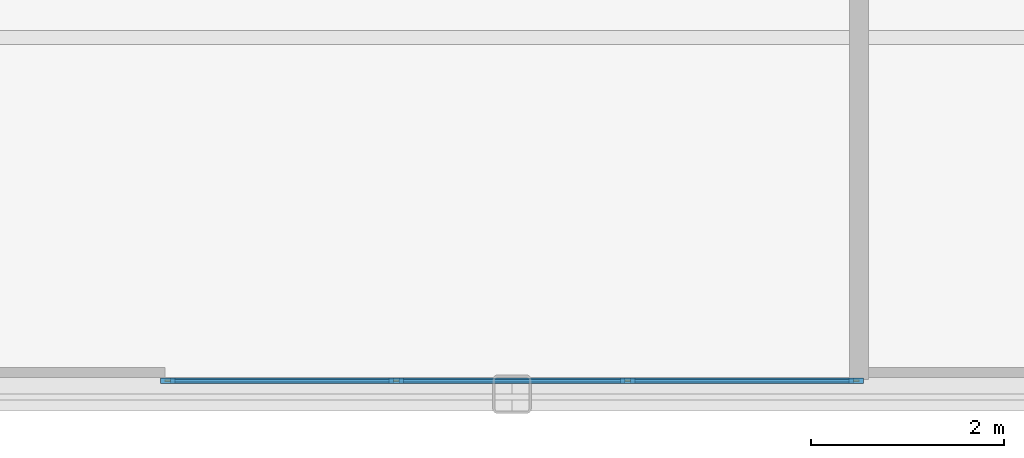
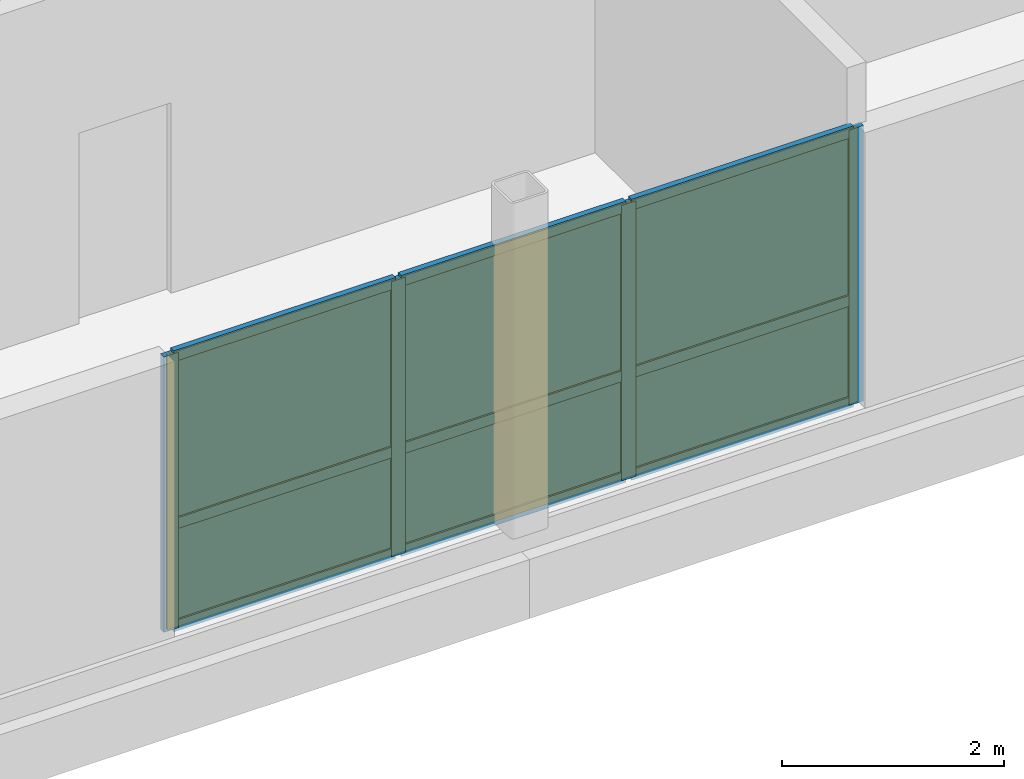
# One storey, part 5 of 10: 13 members, 6 plates, 1 curtain wall.
"""IFC4 building model written with IfcOpenShell, lengths in metres."""

from ifc_helpers import new_model, si_unit, direction, frame, frame_2d, origin, origin_2d, place, context, subcontext, project, spatial, rectangle, extrude, source, transform, mapped, material, layer, layer_set, material_profile, profile_set, type_object, type_shapes, element, aggregate, save


model = new_model("IFC4")

# Units and contexts
model_context = context("Model", 3, precision=1e-05, world=origin(), true_north=direction((0.0, 1.0)))
body_context = subcontext(model_context, "Body", "Model", "MODEL_VIEW")
ifc_project = project(units=[si_unit("LENGTHUNIT", "METRE"), si_unit("AREAUNIT", "SQUARE_METRE"), si_unit("VOLUMEUNIT", "CUBIC_METRE"), si_unit("PLANEANGLEUNIT", "RADIAN"), si_unit("MASSUNIT", "GRAM", prefix="KILO")], contexts=[model_context])

# Member
ifc_material_1 = material(Name="Anodised aluminium 6063-T6", Category="aluminium")
ifc_material_profile_1 = material_profile(ifc_material_1, rectangle(XDim=0.06005859375, YDim=0.14990234375, at=origin_2d()), Name="ALU-MULL-60x150")
ifc_profile_set_1 = profile_set([ifc_material_profile_1], Name="Anodised aluminium 6063-T6")
member_type_1 = type_object("IfcMemberType", Name="CWM-6", PredefinedType="MULLION", material=ifc_profile_set_1)
site_placement = place(None, origin())
building_placement = place(site_placement, origin())
storey_placement = place(building_placement, frame((0.0, 0.0, 299.14990234375)))
member_1_placement = place(storey_placement, frame((-3.570068359375, -16.860107421875, 0.0), z_axis=(0.0, 0.0, 1.0), x_axis=(0.0, 1.0, 0.0)))
member_1 = element("IfcMember", 1, at=member_1_placement, type_object=member_type_1, Name="CWS-6 mullion 1", PredefinedType="MULLION", context=body_context, shape_type="SweptSolid", body=[
    extrude(rectangle(XDim=0.06005859375, YDim=0.14990234375, at=origin_2d()), origin(), (0.0, 0.0, 1.0), 3.03515625),
])

member_2_placement = place(storey_placement, frame((-1.199951171875, -16.860107421875, 0.0), z_axis=(0.0, 0.0, 1.0), x_axis=(0.0, 1.0, 0.0)))
member_2 = element("IfcMember", 2, at=member_2_placement, type_object=member_type_1, Name="CWS-6 mullion 2", PredefinedType="MULLION", context=body_context, shape_type="SweptSolid", body=[
    extrude(rectangle(XDim=0.06005859375, YDim=0.14990234375, at=origin_2d()), origin(), (0.0, 0.0, 1.0), 3.03515625),
])

member_3_placement = place(storey_placement, frame((1.199951171875, -16.860107421875, 0.0), z_axis=(0.0, 0.0, 1.0), x_axis=(0.0, 1.0, 0.0)))
member_3 = element("IfcMember", 3, at=member_3_placement, type_object=member_type_1, Name="CWS-6 mullion 3", PredefinedType="MULLION", context=body_context, shape_type="SweptSolid", body=[
    extrude(rectangle(XDim=0.06005859375, YDim=0.14990234375, at=origin_2d()), origin(), (0.0, 0.0, 1.0), 3.03515625),
])

member_4_placement = place(storey_placement, frame((3.570068359375, -16.860107421875, 0.0), z_axis=(0.0, 0.0, 1.0), x_axis=(0.0, 1.0, 0.0)))
member_4 = element("IfcMember", 4, at=member_4_placement, type_object=member_type_1, Name="CWS-6 mullion 4", PredefinedType="MULLION", context=body_context, shape_type="SweptSolid", body=[
    extrude(rectangle(XDim=0.06005859375, YDim=0.14990234375, at=origin_2d()), origin(), (0.0, 0.0, 1.0), 3.03515625),
])

ifc_material_profile_2 = material_profile(ifc_material_1, rectangle(XDim=0.06005859375, YDim=0.1201171875, at=origin_2d()), Name="ALU-TRAN-60x120")
ifc_profile_set_2 = profile_set([ifc_material_profile_2], Name="Anodised aluminium 6063-T6")
member_type_2 = type_object("IfcMemberType", Name="CWT-6", PredefinedType="USERDEFINED", material=ifc_profile_set_2)
member_5_placement = place(storey_placement, frame((-3.5400390625, -16.860107421875, 0.030029296875), z_axis=(1.0, 0.0, 0.0), x_axis=(0.0, 1.0, 0.0)))
member_5 = element("IfcMember", 5, at=member_5_placement, type_object=member_type_2, Name="CWS-6 transom 1.1", ObjectType="TRANSOM", PredefinedType="USERDEFINED", context=body_context, shape_type="SweptSolid", body=[
    extrude(rectangle(XDim=0.06005859375, YDim=0.1201171875, at=origin_2d()), origin(), (0.0, 0.0, 1.0), 2.31005859375),
])

member_6_placement = place(storey_placement, frame((-3.5400390625, -16.860107421875, 1.1533203125), z_axis=(1.0, 0.0, 0.0), x_axis=(0.0, 1.0, 0.0)))
member_6 = element("IfcMember", 6, at=member_6_placement, type_object=member_type_2, Name="CWS-6 transom 1.2", ObjectType="TRANSOM", PredefinedType="USERDEFINED", context=body_context, shape_type="SweptSolid", body=[
    extrude(rectangle(XDim=0.06005859375, YDim=0.1201171875, at=origin_2d()), origin(), (0.0, 0.0, 1.0), 2.31005859375),
])

member_7_placement = place(storey_placement, frame((-3.5400390625, -16.860107421875, 3.005126953125), z_axis=(1.0, 0.0, 0.0), x_axis=(0.0, 1.0, 0.0)))
member_7 = element("IfcMember", 7, at=member_7_placement, type_object=member_type_2, Name="CWS-6 transom 1.3", ObjectType="TRANSOM", PredefinedType="USERDEFINED", context=body_context, shape_type="SweptSolid", body=[
    extrude(rectangle(XDim=0.06005859375, YDim=0.1201171875, at=origin_2d()), origin(), (0.0, 0.0, 1.0), 2.31005859375),
])

member_8_placement = place(storey_placement, frame((-1.169921875, -16.860107421875, 0.030029296875), z_axis=(1.0, 0.0, 0.0), x_axis=(0.0, 1.0, 0.0)))
member_8 = element("IfcMember", 8, at=member_8_placement, type_object=member_type_2, Name="CWS-6 transom 2.1", ObjectType="TRANSOM", PredefinedType="USERDEFINED", context=body_context, shape_type="SweptSolid", body=[
    extrude(rectangle(XDim=0.06005859375, YDim=0.1201171875, at=origin_2d()), origin(), (0.0, 0.0, 1.0), 2.33984375),
])

member_9_placement = place(storey_placement, frame((-1.169921875, -16.860107421875, 1.1533203125), z_axis=(1.0, 0.0, 0.0), x_axis=(0.0, 1.0, 0.0)))
member_9 = element("IfcMember", 9, at=member_9_placement, type_object=member_type_2, Name="CWS-6 transom 2.2", ObjectType="TRANSOM", PredefinedType="USERDEFINED", context=body_context, shape_type="SweptSolid", body=[
    extrude(rectangle(XDim=0.06005859375, YDim=0.1201171875, at=origin_2d()), origin(), (0.0, 0.0, 1.0), 2.33984375),
])

member_10_placement = place(storey_placement, frame((-1.169921875, -16.860107421875, 3.005126953125), z_axis=(1.0, 0.0, 0.0), x_axis=(0.0, 1.0, 0.0)))
member_10 = element("IfcMember", 10, at=member_10_placement, type_object=member_type_2, Name="CWS-6 transom 2.3", ObjectType="TRANSOM", PredefinedType="USERDEFINED", context=body_context, shape_type="SweptSolid", body=[
    extrude(rectangle(XDim=0.06005859375, YDim=0.1201171875, at=origin_2d()), origin(), (0.0, 0.0, 1.0), 2.33984375),
])

member_11_placement = place(storey_placement, frame((1.22998046875, -16.860107421875, 0.030029296875), z_axis=(1.0, 0.0, 0.0), x_axis=(0.0, 1.0, 0.0)))
member_11 = element("IfcMember", 11, at=member_11_placement, type_object=member_type_2, Name="CWS-6 transom 3.1", ObjectType="TRANSOM", PredefinedType="USERDEFINED", context=body_context, shape_type="SweptSolid", body=[
    extrude(rectangle(XDim=0.06005859375, YDim=0.1201171875, at=origin_2d()), origin(), (0.0, 0.0, 1.0), 2.31005859375),
])

member_12_placement = place(storey_placement, frame((1.22998046875, -16.860107421875, 1.1533203125), z_axis=(1.0, 0.0, 0.0), x_axis=(0.0, 1.0, 0.0)))
member_12 = element("IfcMember", 12, at=member_12_placement, type_object=member_type_2, Name="CWS-6 transom 3.2", ObjectType="TRANSOM", PredefinedType="USERDEFINED", context=body_context, shape_type="SweptSolid", body=[
    extrude(rectangle(XDim=0.06005859375, YDim=0.1201171875, at=origin_2d()), origin(), (0.0, 0.0, 1.0), 2.31005859375),
])

member_13_placement = place(storey_placement, frame((1.22998046875, -16.860107421875, 3.005126953125), z_axis=(1.0, 0.0, 0.0), x_axis=(0.0, 1.0, 0.0)))
member_13 = element("IfcMember", 13, at=member_13_placement, type_object=member_type_2, Name="CWS-6 transom 3.3", ObjectType="TRANSOM", PredefinedType="USERDEFINED", context=body_context, shape_type="SweptSolid", body=[
    extrude(rectangle(XDim=0.06005859375, YDim=0.1201171875, at=origin_2d()), origin(), (0.0, 0.0, 1.0), 2.31005859375),
])

# Plate
ifc_material_2 = material(Name="Insulated solar-control glass", Category="glass")
ifc_layer_1 = layer(ifc_material_2, 0.02392578125, Name="CWP-6")
ifc_layer_set_1 = layer_set([ifc_layer_1], Name="Insulated solar-control glass")
plate_type = type_object("IfcPlateType", Name="CWP-6", PredefinedType="CURTAIN_PANEL", material=ifc_layer_set_1)
shared_shape_1 = source(origin(), body_context, "Body", "SweptSolid", [
    extrude(rectangle(XDim=2.31005859375, YDim=0.02392578125, at=origin_2d()), origin(), (0.0, 0.0, 1.0), 1.063232421875),
])
plate_1_placement = place(storey_placement, frame((-2.385009765625, -16.860107421875, 0.06005859375), z_axis=(0.0, 0.0, 1.0), x_axis=(1.0, 0.0, 0.0)))
plate_1 = element("IfcPlate", 14, at=plate_1_placement, type_object=plate_type, Name="CWS-6 panel 1.1", PredefinedType="CURTAIN_PANEL", context=body_context, shape_type="MappedRepresentation", body=[
    mapped(shared_shape_1, transform((0.0, 0.0, 0.0), scale=1.0)),
])

plate_2_placement = place(storey_placement, frame((2.385009765625, -16.860107421875, 0.06005859375), z_axis=(0.0, 0.0, 1.0), x_axis=(1.0, 0.0, 0.0)))
plate_2 = element("IfcPlate", 15, at=plate_2_placement, type_object=plate_type, Name="CWS-6 panel 3.1", PredefinedType="CURTAIN_PANEL", context=body_context, shape_type="MappedRepresentation", body=[
    mapped(shared_shape_1, transform((0.0, 0.0, 0.0), scale=1.0)),
])

shared_shape_2 = source(origin(), body_context, "Body", "SweptSolid", [
    extrude(rectangle(XDim=2.31005859375, YDim=0.02392578125, at=origin_2d()), origin(), (0.0, 0.0, 1.0), 1.791748046875),
])
plate_3_placement = place(storey_placement, frame((-2.385009765625, -16.860107421875, 1.18359375), z_axis=(0.0, 0.0, 1.0), x_axis=(1.0, 0.0, 0.0)))
plate_3 = element("IfcPlate", 16, at=plate_3_placement, type_object=plate_type, Name="CWS-6 panel 1.2", PredefinedType="CURTAIN_PANEL", context=body_context, shape_type="MappedRepresentation", body=[
    mapped(shared_shape_2, transform((0.0, 0.0, 0.0), scale=1.0)),
])

plate_4_placement = place(storey_placement, frame((2.385009765625, -16.860107421875, 1.18359375), z_axis=(0.0, 0.0, 1.0), x_axis=(1.0, 0.0, 0.0)))
plate_4 = element("IfcPlate", 17, at=plate_4_placement, type_object=plate_type, Name="CWS-6 panel 3.2", PredefinedType="CURTAIN_PANEL", context=body_context, shape_type="MappedRepresentation", body=[
    mapped(shared_shape_2, transform((0.0, 0.0, 0.0), scale=1.0)),
])

shared_shape_3 = source(origin(), body_context, "Body", "SweptSolid", [
    extrude(rectangle(XDim=2.340087890625, YDim=0.02392578125, at=origin_2d()), origin(), (0.0, 0.0, 1.0), 1.063232421875),
])
plate_5_placement = place(storey_placement, frame((0.0, -16.860107421875, 0.06005859375), z_axis=(0.0, 0.0, 1.0), x_axis=(1.0, 0.0, 0.0)))
plate_5 = element("IfcPlate", 18, at=plate_5_placement, type_object=plate_type, Name="CWS-6 panel 2.1", PredefinedType="CURTAIN_PANEL", context=body_context, shape_type="MappedRepresentation", body=[
    mapped(shared_shape_3, transform((0.0, 0.0, 0.0), scale=1.0)),
])

shared_shape_4 = source(origin(), body_context, "Body", "SweptSolid", [
    extrude(rectangle(XDim=2.340087890625, YDim=0.02392578125, at=origin_2d()), origin(), (0.0, 0.0, 1.0), 1.791748046875),
])
type_shapes(plate_type, [shared_shape_1, shared_shape_2, shared_shape_3, shared_shape_4])
plate_6_placement = place(storey_placement, frame((0.0, -16.860107421875, 1.18359375), z_axis=(0.0, 0.0, 1.0), x_axis=(1.0, 0.0, 0.0)))
plate_6 = element("IfcPlate", 19, at=plate_6_placement, type_object=plate_type, Name="CWS-6 panel 2.2", PredefinedType="CURTAIN_PANEL", context=body_context, shape_type="MappedRepresentation", body=[
    mapped(shared_shape_4, transform((0.0, 0.0, 0.0), scale=1.0)),
])

# Site, building, storey
site = spatial("IfcSite", under=ifc_project, at=site_placement, CompositionType="ELEMENT")
building = spatial("IfcBuilding", under=site, at=building_placement, Name="Nuvemarco Arch Tower", CompositionType="ELEMENT")
storey = spatial("IfcBuildingStorey", under=building, at=storey_placement, Name="L79", CompositionType="ELEMENT", Elevation=299.14990234375)

# Curtain wall
ifc_layer_2 = layer(ifc_material_2, 0.14990234375, Name="CW-SYS-6")
ifc_layer_set_2 = layer_set([ifc_layer_2], Name="Insulated solar-control glass")
curtain_wall_type = type_object("IfcCurtainWallType", Name="CW-SYS-6", PredefinedType="NOTDEFINED", material=ifc_layer_set_2)
curtain_wall_placement = place(storey_placement, frame((-3.60009765625, -16.860107421875, 0.0), z_axis=(0.0, 0.0, 1.0), x_axis=(1.0, 0.0, 0.0)))
curtain_wall = element("IfcCurtainWall", 20, at=curtain_wall_placement, inside=storey, type_object=curtain_wall_type, Name="L79 curtain wall CWS-6", PredefinedType="NOTDEFINED", context=body_context, shape_type="SweptSolid", body=[
    extrude(rectangle(XDim=7.2001953125, YDim=0.02001953125, at=frame_2d((3.60009765625, 0.0))), origin(), (0.0, 0.0, 1.0), 3.03515625),
])

aggregate(curtain_wall, [member_1, member_2, member_3, member_4, member_5, member_6, member_7, plate_1, plate_3, member_8, member_9, member_10, plate_5, plate_6, member_11, member_12, member_13, plate_2, plate_4])

save(model, "model.ifc")
